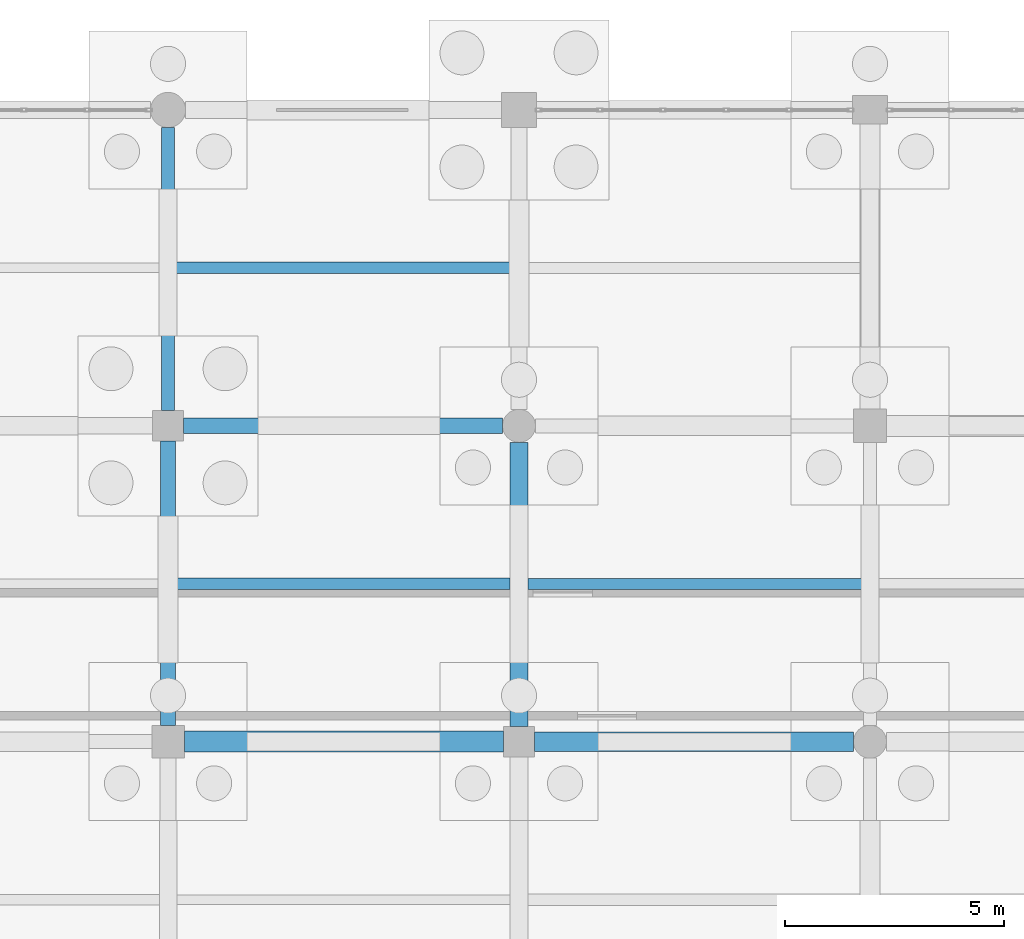
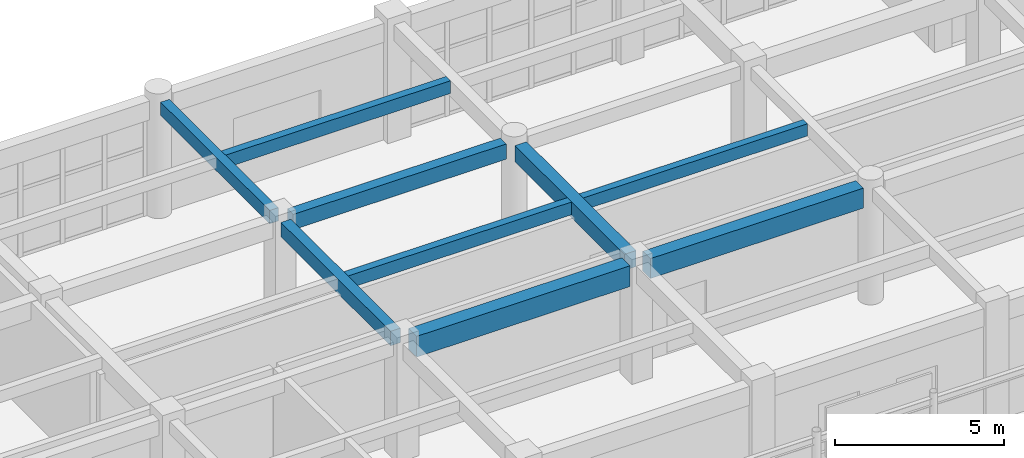
# One storey, part 68 of 166: 9 beams.
"""IFC4 building model written with IfcOpenShell, lengths in metres."""

from ifc_helpers import new_model, si_unit, direction, frame, origin, origin_2d, place, context, subcontext, project, spatial, rectangle, extrude, material, material_profile, profile_set, type_object, element, save


model = new_model("IFC4")

# Units and contexts
model_context = context("Model", 3, precision=1e-05, world=origin(), true_north=direction((0.0, 1.0)))
body_context = subcontext(model_context, "Body", "Model", "MODEL_VIEW")
ifc_project = project(units=[si_unit("LENGTHUNIT", "METRE"), si_unit("AREAUNIT", "SQUARE_METRE"), si_unit("VOLUMEUNIT", "CUBIC_METRE"), si_unit("PLANEANGLEUNIT", "RADIAN"), si_unit("MASSUNIT", "GRAM", prefix="KILO")], contexts=[model_context])

# Site, building, storey
site_placement = place(None, origin())
site = spatial("IfcSite", under=ifc_project, at=site_placement, CompositionType="ELEMENT")
building_placement = place(site_placement, origin())
building = spatial("IfcBuilding", under=site, at=building_placement, Name="Kharva Crest Polytechnic", CompositionType="ELEMENT")
storey_placement = place(building_placement, origin())
storey = spatial("IfcBuildingStorey", under=building, at=storey_placement, Name="L00", CompositionType="ELEMENT", Elevation=0.0)

# Beams
ifc_material = material(Name="Concrete C35/45", Category="concrete")
ifc_material_profile_1 = material_profile(ifc_material, rectangle(XDim=0.300048828125, YDim=0.47998046875, at=origin_2d()), Name="RECT 300 X 480")
ifc_profile_set_1 = profile_set([ifc_material_profile_1], Name="Concrete C35/45")
beam_type_1 = type_object("IfcBeamType", Name="BM-RC-300X480", PredefinedType="BEAM", material=ifc_profile_set_1)
beam_1_placement = place(storey_placement, frame((80.0, 115.14990234375, 3.97998046875), z_axis=(0.0, 1.0, 0.0), x_axis=(-1.0, 0.0, 0.0)))
element("IfcBeam", 1, at=beam_1_placement, inside=storey, type_object=beam_type_1, Name="L00 Girder 11/R-S", PredefinedType="BEAM", context=body_context, shape_type="SweptSolid", body=[
    extrude(rectangle(XDim=0.300048828125, YDim=0.47998046875, at=origin_2d()), origin(), (0.0, 0.0, 1.0), 6.4501953125),
])
ifc_material_profile_2 = material_profile(ifc_material, rectangle(XDim=0.340087890625, YDim=0.52001953125, at=origin_2d()), Name="RECT 340 X 520")
ifc_profile_set_2 = profile_set([ifc_material_profile_2], Name="Concrete C35/45")
beam_type_2 = type_object("IfcBeamType", Name="BM-RC-340X520", PredefinedType="BEAM", material=ifc_profile_set_2)
beam_2_placement = place(storey_placement, frame((80.0, 107.969970703125, 3.9599609375), z_axis=(0.0, 1.0, 0.0), x_axis=(-1.0, 0.0, 0.0)))
element("IfcBeam", 2, at=beam_2_placement, inside=storey, type_object=beam_type_2, Name="L00 Girder 11/Q-R", PredefinedType="BEAM", context=body_context, shape_type="SweptSolid", body=[
    extrude(rectangle(XDim=0.340087890625, YDim=0.52001953125, at=origin_2d()), origin(), (0.0, 0.0, 1.0), 6.47998046875),
])
ifc_material_profile_3 = material_profile(ifc_material, rectangle(XDim=0.35009765625, YDim=0.550048828125, at=origin_2d()), Name="RECT 350 X 550")
ifc_profile_set_3 = profile_set([ifc_material_profile_3], Name="Concrete C35/45")
beam_type_3 = type_object("IfcBeamType", Name="BM-RC-350X550", PredefinedType="BEAM", material=ifc_profile_set_3)
beam_3_placement = place(storey_placement, frame((80.35009765625, 114.800048828125, 3.945068359375), z_axis=(1.0, 0.0, 0.0), x_axis=(0.0, 1.0, 0.0)))
element("IfcBeam", 3, at=beam_3_placement, inside=storey, type_object=beam_type_3, Name="L00 Beam R/11-12", PredefinedType="BEAM", context=body_context, shape_type="SweptSolid", body=[
    extrude(rectangle(XDim=0.35009765625, YDim=0.550048828125, at=origin_2d()), origin(), (0.0, 0.0, 1.0), 7.27490234375),
])
ifc_material_profile_4 = material_profile(ifc_material, rectangle(XDim=0.39990234375, YDim=0.580078125, at=origin_2d()), Name="RECT 400 X 580")
ifc_profile_set_4 = profile_set([ifc_material_profile_4], Name="Concrete C35/45")
beam_type_4 = type_object("IfcBeamType", Name="BM-RC-400X580", PredefinedType="BEAM", material=ifc_profile_set_4)
beam_4_placement = place(storey_placement, frame((88.0, 107.949951171875, 3.929931640625), z_axis=(0.0, 1.0, 0.0), x_axis=(-1.0, 0.0, 0.0)))
element("IfcBeam", 4, at=beam_4_placement, inside=storey, type_object=beam_type_4, Name="L00 Girder 12/Q-R", PredefinedType="BEAM", context=body_context, shape_type="SweptSolid", body=[
    extrude(rectangle(XDim=0.39990234375, YDim=0.580078125, at=origin_2d()), origin(), (0.0, 0.0, 1.0), 6.47509765625),
])
ifc_material_profile_5 = material_profile(ifc_material, rectangle(XDim=0.449951171875, YDim=0.719970703125, at=origin_2d()), Name="RECT 450 X 720")
ifc_profile_set_5 = profile_set([ifc_material_profile_5], Name="Concrete C35/45")
beam_type_5 = type_object("IfcBeamType", Name="BM-RC-450X720", PredefinedType="BEAM", material=ifc_profile_set_5)
beam_5_placement = place(storey_placement, frame((88.35009765625, 107.60009765625, 3.860107421875), z_axis=(1.0, 0.0, 0.0), x_axis=(0.0, 1.0, 0.0)))
element("IfcBeam", 5, at=beam_5_placement, inside=storey, type_object=beam_type_5, Name="L00 Beam Q/12-13", PredefinedType="BEAM", context=body_context, shape_type="SweptSolid", body=[
    extrude(rectangle(XDim=0.449951171875, YDim=0.719970703125, at=origin_2d()), origin(), (0.0, 0.0, 1.0), 7.27490234375),
])
ifc_material_profile_6 = material_profile(ifc_material, rectangle(XDim=0.47998046875, YDim=0.75, at=origin_2d()), Name="RECT 480 X 750")
ifc_profile_set_6 = profile_set([ifc_material_profile_6], Name="Concrete C35/45")
beam_type_6 = type_object("IfcBeamType", Name="BM-RC-480X750", PredefinedType="BEAM", material=ifc_profile_set_6)
beam_6_placement = place(storey_placement, frame((80.3701171875, 107.60009765625, 3.844970703125), z_axis=(1.0, 0.0, 0.0), x_axis=(0.0, 1.0, 0.0)))
element("IfcBeam", 6, at=beam_6_placement, inside=storey, type_object=beam_type_6, Name="L00 Beam Q/11-12", PredefinedType="BEAM", context=body_context, shape_type="SweptSolid", body=[
    extrude(rectangle(XDim=0.47998046875, YDim=0.75, at=origin_2d()), origin(), (0.0, 0.0, 1.0), 7.27978515625),
])
ifc_material_profile_7 = material_profile(ifc_material, rectangle(XDim=0.25, YDim=0.43994140625, at=origin_2d()), Name="RECT 250 X 440")
ifc_profile_set_7 = profile_set([ifc_material_profile_7], Name="Concrete C35/45")
beam_type_7 = type_object("IfcBeamType", Name="JS-RC-250X440", PredefinedType="JOIST", material=ifc_profile_set_7)
beam_7_placement = place(storey_placement, frame((88.199951171875, 111.199951171875, 4.0), z_axis=(1.0, 0.0, 0.0), x_axis=(0.0, 1.0, 0.0)))
element("IfcBeam", 7, at=beam_7_placement, inside=storey, type_object=beam_type_7, Name="L00 Floor Joist 32", PredefinedType="JOIST", context=body_context, shape_type="SweptSolid", body=[
    extrude(rectangle(XDim=0.25, YDim=0.43994140625, at=origin_2d()), origin(), (0.0, 0.0, 1.0), 7.650146484375),
])
ifc_material_profile_8 = material_profile(ifc_material, rectangle(XDim=0.260009765625, YDim=0.4599609375, at=origin_2d()), Name="RECT 260 X 460")
ifc_profile_set_8 = profile_set([ifc_material_profile_8], Name="Concrete C35/45")
beam_type_8 = type_object("IfcBeamType", Name="JS-RC-260X460", PredefinedType="JOIST", material=ifc_profile_set_8)
beam_8_placement = place(storey_placement, frame((80.169921875, 111.199951171875, 3.989990234375), z_axis=(1.0, 0.0, 0.0), x_axis=(0.0, 1.0, 0.0)))
element("IfcBeam", 8, at=beam_8_placement, inside=storey, type_object=beam_type_8, Name="L00 Floor Joist 31", PredefinedType="JOIST", context=body_context, shape_type="SweptSolid", body=[
    extrude(rectangle(XDim=0.260009765625, YDim=0.4599609375, at=origin_2d()), origin(), (0.0, 0.0, 1.0), 7.630126953125),
])
beam_9_placement = place(storey_placement, frame((80.14990234375, 118.39990234375, 3.989990234375), z_axis=(1.0, 0.0, 0.0), x_axis=(0.0, 1.0, 0.0)))
element("IfcBeam", 9, at=beam_9_placement, inside=storey, type_object=beam_type_8, Name="L00 Floor Joist 47", PredefinedType="JOIST", context=body_context, shape_type="SweptSolid", body=[
    extrude(rectangle(XDim=0.260009765625, YDim=0.4599609375, at=origin_2d()), origin(), (0.0, 0.0, 1.0), 7.670166015625),
])

save(model, "model.ifc")
